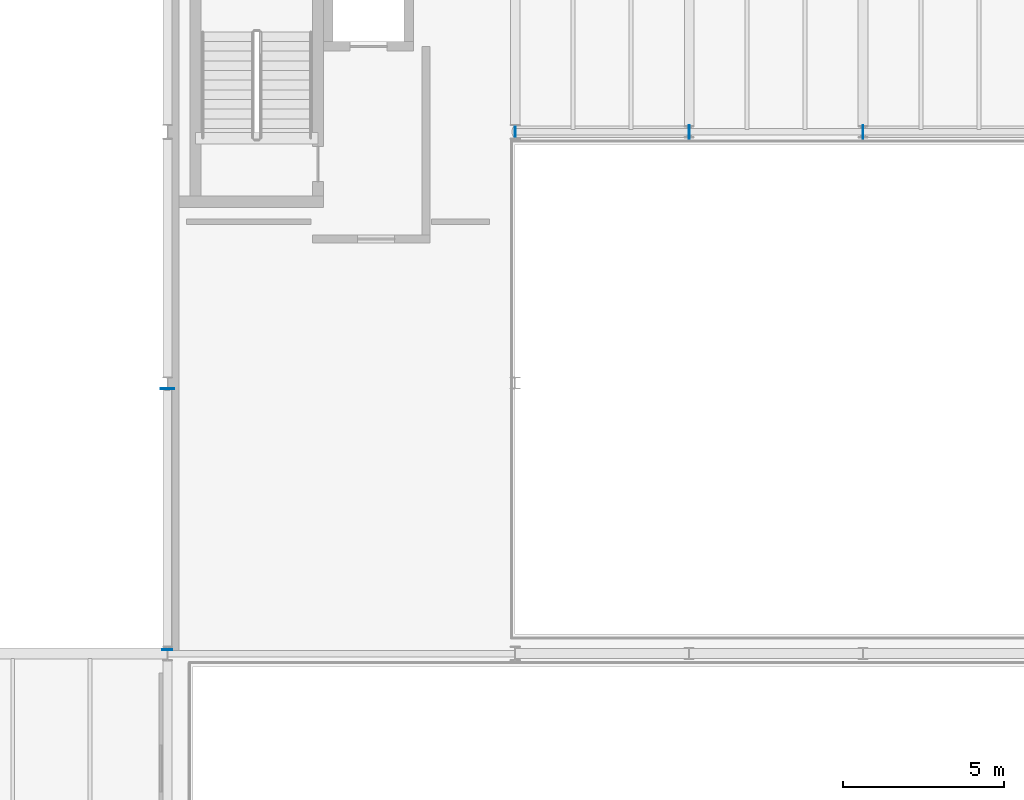
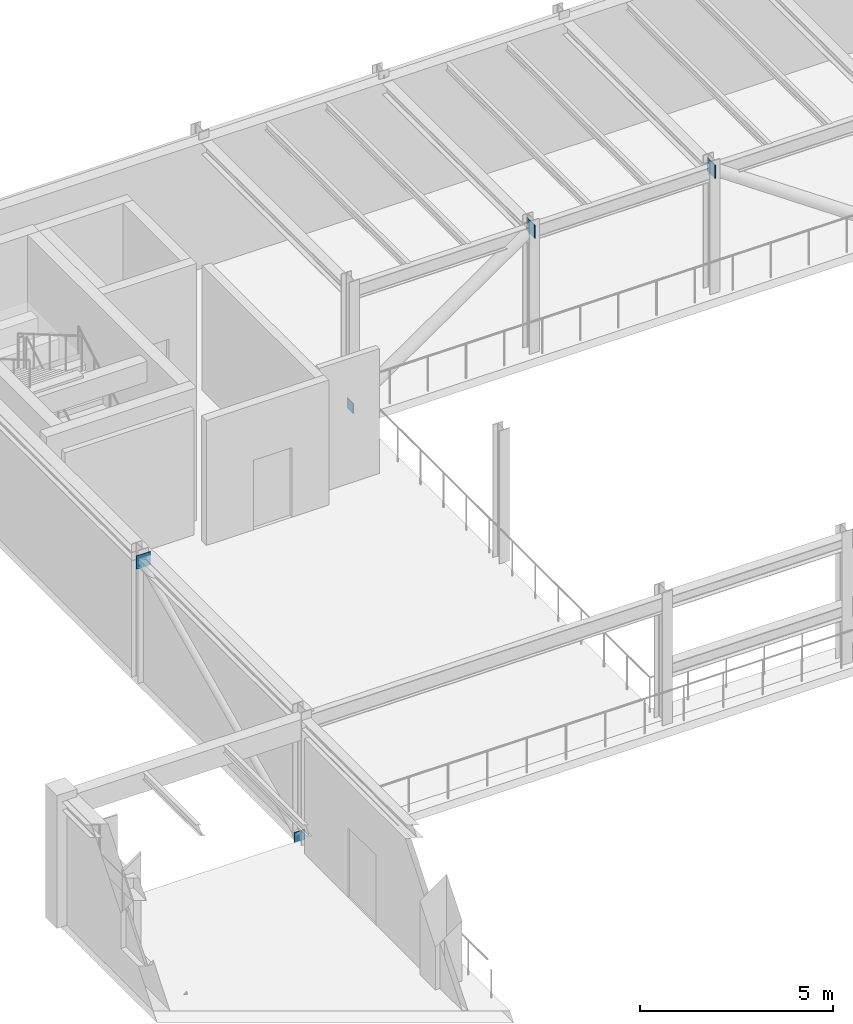
# One storey, part 35 of 104: 5 plates.
"""IFC4 building model written with IfcOpenShell, lengths in metres."""

import ifcopenshell
import ifcopenshell.guid

model = None  # the IFC model being written
_history = None  # IfcOwnerHistory: only IFC2X3 demands one
_inside = {}  # id of a spatial element -> (the spatial element, [elements in it])
_under = {}  # id of a project, library or spatial element -> (it, [spatial elements below it])
_declared = {}  # id of a project -> (the project, [libraries it declares])
_typed = {}  # id of a type object -> (the type object, [elements of that type])
_made_of = {}  # id of a material, layer set ... -> (it, [elements and type objects made of it])


def new_model(schema):
    """Start an empty IFC model of exactly this schema.

    Asked for "IFC4X3", IfcOpenShell would pick the latest addendum, in which some entities
    have other attributes; the version numbers below select the first issue.
    IFC2X3 requires an IfcOwnerHistory on every rooted entity: one is made here for all.
    """
    global model, _history
    if schema == "IFC4X3":
        model = ifcopenshell.file(schema_version=(4, 3, 0, 0))
    else:
        model = ifcopenshell.file(schema=schema)
    _inside.clear()
    _under.clear()
    _declared.clear()
    _typed.clear()
    _made_of.clear()
    _history = None
    if model.schema == "IFC2X3":
        org = make("IfcOrganization", Name="unknown")
        user = make(
            "IfcPersonAndOrganization",
            ThePerson=make("IfcPerson", FamilyName="unknown"),
            TheOrganization=org,
        )
        app = make(
            "IfcApplication",
            ApplicationDeveloper=org,
            Version="unknown",
            ApplicationFullName="unknown",
            ApplicationIdentifier="unknown",
        )
        _history = make(
            "IfcOwnerHistory",
            OwningUser=user,
            OwningApplication=app,
            ChangeAction="ADDED",
            CreationDate=0,
        )
    return model


def make(cls, **values):
    """One entity of the class cls with the attributes given. An attribute that is None is left unset."""
    return model.create_entity(
        cls, **{name: value for name, value in values.items() if value is not None}
    )


def rooted(cls, **values):
    """An entity with a GlobalId (a new one), such as an element, a storey or a relation."""
    return make(cls, GlobalId=ifcopenshell.guid.new(), OwnerHistory=_history, **values)


def si_unit(unit_type, name, prefix=None):
    """IfcSIUnit, for example si_unit("LENGTHUNIT", "METRE", prefix="MILLI")."""
    return make("IfcSIUnit", UnitType=unit_type, Prefix=prefix, Name=name)


def assignment(units):
    """IfcUnitAssignment: the units of a project."""
    return None if units is None else make("IfcUnitAssignment", Units=units)


def point(xyz):
    """IfcCartesianPoint."""
    return None if xyz is None else make("IfcCartesianPoint", Coordinates=xyz)


def direction(xyz):
    """IfcDirection."""
    return None if xyz is None else make("IfcDirection", DirectionRatios=xyz)


def frame(location, z_axis=None, x_axis=None):
    """IfcAxis2Placement3D, a coordinate frame: its origin and axes. An axis left out is left unset."""
    return make(
        "IfcAxis2Placement3D",
        Location=point(location),
        Axis=direction(z_axis),
        RefDirection=direction(x_axis),
    )


def frame_2d(location, x_axis=None):
    """IfcAxis2Placement2D, a coordinate frame in the plane: its origin and x axis."""
    return make(
        "IfcAxis2Placement2D", Location=point(location), RefDirection=direction(x_axis)
    )


def origin():
    """The frame at (0, 0, 0) with its axes left unset."""
    return frame((0.0, 0.0, 0.0))


def origin_2d():
    """The frame at (0, 0) in the plane with its x axis left unset."""
    return frame_2d((0.0, 0.0))


def place(relative_to, where):
    """IfcLocalPlacement: puts the frame where relative to a parent placement (None: the world)."""
    return make(
        "IfcLocalPlacement", PlacementRelTo=relative_to, RelativePlacement=where
    )


def context(
    kind, dimensions, precision=None, world=None, true_north=None, identifier=None
):
    """IfcGeometricRepresentationContext, for example the 3D "Model" context."""
    return make(
        "IfcGeometricRepresentationContext",
        ContextIdentifier=identifier,
        ContextType=kind,
        CoordinateSpaceDimension=dimensions,
        Precision=precision,
        WorldCoordinateSystem=world,
        TrueNorth=true_north,
    )


def subcontext(parent, identifier, kind, view, scale=None):
    """IfcGeometricRepresentationSubContext, for example "Body" below "Model"."""
    return make(
        "IfcGeometricRepresentationSubContext",
        ContextIdentifier=identifier,
        ContextType=kind,
        ParentContext=parent,
        TargetScale=scale,
        TargetView=view,
    )


def project(units=None, contexts=None):
    """IfcProject with its units and contexts."""
    return rooted(
        "IfcProject",
        Name="project",
        RepresentationContexts=contexts,
        UnitsInContext=assignment(units),
    )


def spatial(cls, under=None, at=None, **own):
    """A site, building, storey or space (cls), placed at a placement, below another one or the project."""
    s = rooted(cls, ObjectPlacement=at, **own)
    if under is not None:
        _under.setdefault(under.id(), (under, []))[1].append(s)
    return s


def profile(cls, at=None, kind="AREA", **sizes):
    """A parametric profile (cls). Its sizes go by their IFC names, for example OverallWidth=200.0."""
    return make(cls, ProfileType=kind, Position=at, **sizes)


def rectangle(**sizes):
    """IfcRectangleProfileDef."""
    return profile("IfcRectangleProfileDef", **sizes)


def extrude(swept, where, along, depth):
    """IfcExtrudedAreaSolid: the profile swept, set in the frame where, extruded along a direction by depth."""
    return make(
        "IfcExtrudedAreaSolid",
        SweptArea=swept,
        Position=where,
        ExtrudedDirection=direction(along),
        Depth=depth,
    )


def shape(context_of_items, identifier, shape_type, items):
    """IfcShapeRepresentation: the items that make up one representation, for example the "Body"."""
    return make(
        "IfcShapeRepresentation",
        ContextOfItems=context_of_items,
        RepresentationIdentifier=identifier,
        RepresentationType=shape_type,
        Items=items,
    )


def material(Name=None, Category=None):
    """IfcMaterial."""
    return make("IfcMaterial", Name=Name, Category=Category)


def layer(
    of_material, thickness, ventilated=None, Name=None, Category=None, Priority=None
):
    """IfcMaterialLayer: one layer of a wall or slab, of a material (None: an air gap)."""
    return make(
        "IfcMaterialLayer",
        Material=of_material,
        LayerThickness=thickness,
        IsVentilated=ventilated,
        Name=Name,
        Category=Category,
        Priority=Priority,
    )


def layer_set(layers, Name=None):
    """IfcMaterialLayerSet."""
    return make("IfcMaterialLayerSet", MaterialLayers=layers, LayerSetName=Name)


def made_of(thing, what):
    """Note that an element or type object is made of a material, layer set ...; save() writes the relation."""
    if what is not None:
        _made_of.setdefault(what.id(), (what, []))[1].append(thing)
    return thing


def type_object(cls, material=None, **own):
    """A type object (cls), such as IfcWallType, which elements share."""
    return made_of(rooted(cls, **own), material)


def element(
    cls,
    number,
    at=None,
    inside=None,
    cuts=None,
    type_object=None,
    material=None,
    context=None,
    identifier="Body",
    shape_type=None,
    held_by="IfcProductDefinitionShape",
    body=None,
    shapes=None,
    **own,
):
    """One element of the class cls, such as IfcWall. Its Tag is "e" and its number.

    at: its placement. inside: the storey or other place that contains it. cuts: it is an
    opening in that element (IfcRelVoidsElement). A single representation is given by context,
    identifier, shape_type and body (its items); several are given by shapes. held_by: the class
    of the entity that holds the representations. save() writes the other relations.
    """
    e = rooted(cls, Tag="e%d" % number, ObjectPlacement=at, **own)
    if body is not None:
        shapes = [shape(context, identifier, shape_type, body)]
    if shapes is not None:
        e.Representation = make(held_by, Representations=shapes)
    if inside is not None:
        _inside.setdefault(inside.id(), (inside, []))[1].append(e)
    if cuts is not None:
        rooted(
            "IfcRelVoidsElement", RelatingBuildingElement=cuts, RelatedOpeningElement=e
        )
    if type_object is not None:
        _typed.setdefault(type_object.id(), (type_object, []))[1].append(e)
    return made_of(e, material)


def aggregate(whole, parts):
    """IfcRelAggregates: a whole, such as a stair, and the parts it consists of."""
    return rooted("IfcRelAggregates", RelatingObject=whole, RelatedObjects=parts)


def save(model, path):
    """Write the relations noted so far, then the file.

    IfcRelAggregates (storeys below a building ...), IfcRelContainedInSpatialStructure (elements
    in a storey), IfcRelDefinesByType, IfcRelAssociatesMaterial and IfcRelDeclares: one each for
    every whole, place, type object, material and project.
    """
    for whole, parts in _under.values():
        aggregate(whole, parts)
    for where, things in _inside.values():
        rooted(
            "IfcRelContainedInSpatialStructure",
            RelatedElements=things,
            RelatingStructure=where,
        )
    for kind, things in _typed.values():
        rooted("IfcRelDefinesByType", RelatedObjects=things, RelatingType=kind)
    for what, things in _made_of.values():
        rooted("IfcRelAssociatesMaterial", RelatedObjects=things, RelatingMaterial=what)
    for by, libraries in _declared.values():
        rooted("IfcRelDeclares", RelatingContext=by, RelatedDefinitions=libraries)
    model.write(path)


model = new_model("IFC4")

# Units and contexts
model_context = context("Model", 3, precision=1e-05, world=origin(), true_north=direction((0.0, 1.0)))
body_context = subcontext(model_context, "Body", "Model", "MODEL_VIEW")
ifc_project = project(units=[si_unit("LENGTHUNIT", "METRE"), si_unit("AREAUNIT", "SQUARE_METRE"), si_unit("VOLUMEUNIT", "CUBIC_METRE"), si_unit("PLANEANGLEUNIT", "RADIAN"), si_unit("MASSUNIT", "GRAM", prefix="KILO")], contexts=[model_context])

# Site, building, storey
site_placement = place(None, origin())
site = spatial("IfcSite", under=ifc_project, at=site_placement, CompositionType="ELEMENT")
building_placement = place(site_placement, origin())
building = spatial("IfcBuilding", under=site, at=building_placement, Name="Tazoul Stagehouse", CompositionType="ELEMENT")
storey_placement = place(building_placement, frame((0.0, 0.0, 9.0)))
storey = spatial("IfcBuildingStorey", under=building, at=storey_placement, Name="L02", CompositionType="ELEMENT", Elevation=9.0)

# Plates
ifc_material = material(Name="Steel S355", Category="steel")
ifc_layer_1 = layer(ifc_material, 0.02001953125, Name="Steel S355")
ifc_layer_set_1 = layer_set([ifc_layer_1], Name="Steel S355")
plate_type_1 = type_object("IfcPlateType", Name="Steel Brace End-Cap Plate 320x320x20", PredefinedType="USERDEFINED", material=ifc_layer_set_1)
plate_1_placement = place(storey_placement, frame((68.39990234375, 104.0, -0.0400390625), z_axis=(0.0, 0.0, 1.0), x_axis=(1.0, 0.0, 0.0)))
element("IfcPlate", 1, at=plate_1_placement, inside=storey, type_object=plate_type_1, Name="L02 Gusset End-Cap Plate GP-01 (BR-FT-L02-IN1-1)", ObjectType="GUSSET PLATE", PredefinedType="USERDEFINED", context=body_context, shape_type="SweptSolid", body=[
    extrude(rectangle(XDim=0.02001953125, YDim=0.320068359375, at=origin_2d()), origin(), (0.0, 0.0, 1.0), 0.320068359375),
])
ifc_layer_2 = layer(ifc_material, 0.02001953125, Name="Steel S355")
ifc_layer_set_2 = layer_set([ifc_layer_2], Name="Steel S355")
plate_type_2 = type_object("IfcPlateType", Name="Steel Brace End-Cap Plate 320x320x20 (Exterior)", PredefinedType="USERDEFINED", material=ifc_layer_set_2)
plate_2_placement = place(storey_placement, frame((57.60009765625, 87.919921875, -0.10986328125), z_axis=(0.0, 0.0, 1.0), x_axis=(0.0, 1.0, 0.0)))
element("IfcPlate", 2, at=plate_2_placement, inside=storey, type_object=plate_type_2, Name="L02 Gusset End-Cap Plate GP-01E (BR-FT-L02-W1-1)", ObjectType="GUSSET PLATE", PredefinedType="USERDEFINED", context=body_context, shape_type="SweptSolid", body=[
    extrude(rectangle(XDim=0.02001953125, YDim=0.320068359375, at=origin_2d()), origin(), (0.0, 0.0, 1.0), 0.320068359375),
])
ifc_layer_3 = layer(ifc_material, 0.02392578125, Name="Steel S355")
ifc_layer_set_3 = layer_set([ifc_layer_3], Name="Steel S355")
plate_type_3 = type_object("IfcPlateType", Name="Steel Gusset Node Plate 420x420x24", PredefinedType="USERDEFINED", material=ifc_layer_set_3)
for number, where, z_axis, x_axis, name in (
    (3, (73.800048828125, 104.0, 3.64013671875), (0.0, 0.0, 1.0), (1.0, 0.0, 0.0), "L02 Gusset End-Cap Plate GP-02 (BR-FT-L02-IN1-2)"),
    (4, (79.199951171875, 104.0, 3.64013671875), (0.0, 0.0, 1.0), (-1.0, 0.0, 0.0), "L02 Gusset End-Cap Plate GP-02 (BR-FT-L02-IN2-2)"),
):
    element("IfcPlate", number, at=place(storey_placement, frame(where, z_axis=z_axis, x_axis=x_axis)), inside=storey, type_object=plate_type_3, Name=name, ObjectType="GUSSET PLATE", PredefinedType="USERDEFINED", context=body_context, shape_type="SweptSolid", body=[
        extrude(rectangle(XDim=0.02392578125, YDim=0.419921875, at=origin_2d()), origin(), (0.0, 0.0, 1.0), 0.419921875),
    ])
ifc_layer_4 = layer(ifc_material, 0.02392578125, Name="Steel S355")
ifc_layer_set_4 = layer_set([ifc_layer_4], Name="Steel S355")
plate_type_4 = type_object("IfcPlateType", Name="Steel Gusset Node Plate 420x420x24 (Exterior)", PredefinedType="USERDEFINED", material=ifc_layer_set_4)
plate_3_placement = place(storey_placement, frame((57.60009765625, 96.02001953125, 3.64013671875), z_axis=(0.0, 0.0, 1.0), x_axis=(0.0, 1.0, 0.0)))
element("IfcPlate", 5, at=plate_3_placement, inside=storey, type_object=plate_type_4, Name="L02 Gusset End-Cap Plate GP-02E (BR-FT-L02-W1-2)", ObjectType="GUSSET PLATE", PredefinedType="USERDEFINED", context=body_context, shape_type="SweptSolid", body=[
    extrude(rectangle(XDim=0.02392578125, YDim=0.419921875, at=origin_2d()), origin(), (0.0, 0.0, 1.0), 0.419921875),
])

save(model, "model.ifc")
